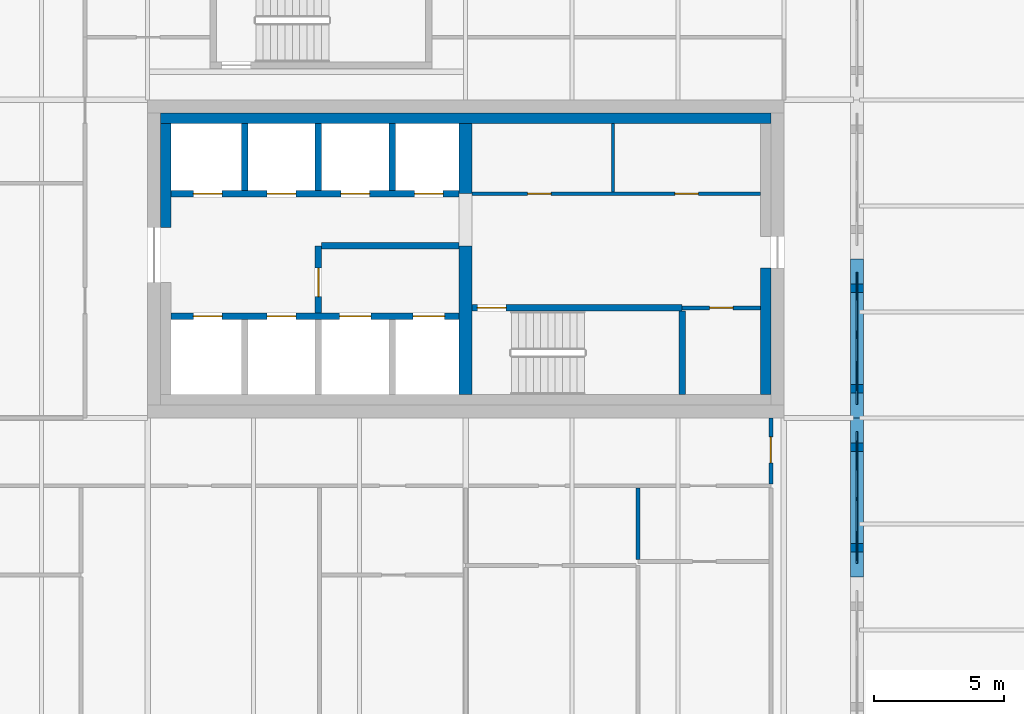
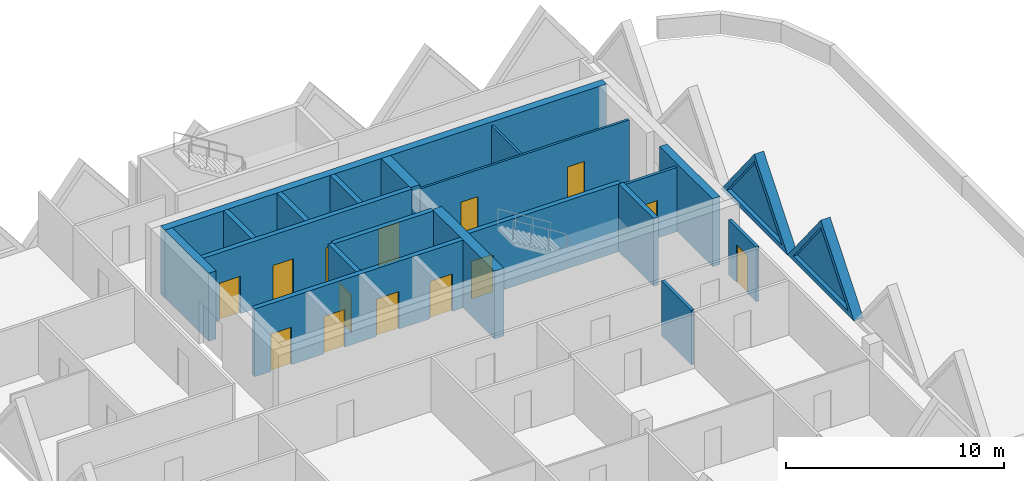
# One storey, part 14 of 18: 21 walls, 14 doors, 2 plates, 16 openings.
"""IFC4 building model written with IfcOpenShell, lengths in metres."""

from ifc_helpers import new_model, si_unit, direction, frame, frame_2d, origin, place, context, subcontext, project, spatial, polyline, rectangle, outline, extrude, faceted_brep, source, transform, mapped, material, layer, layer_set, type_object, element, fill, save


model = new_model("IFC4")

# Units and contexts
model_context = context("Model", 3, precision=1e-05, world=origin(), true_north=direction((0.0, 1.0)))
body_context = subcontext(model_context, "Body", "Model", "MODEL_VIEW")
ifc_project = project(units=[si_unit("LENGTHUNIT", "METRE"), si_unit("AREAUNIT", "SQUARE_METRE"), si_unit("VOLUMEUNIT", "CUBIC_METRE"), si_unit("PLANEANGLEUNIT", "RADIAN"), si_unit("MASSUNIT", "GRAM", prefix="KILO")], contexts=[model_context])

# Site, building, storey
site_placement = place(None, origin())
site = spatial("IfcSite", under=ifc_project, at=site_placement, CompositionType="ELEMENT")
building_placement = place(site_placement, origin())
building = spatial("IfcBuilding", under=site, at=building_placement, Name="Tessera Gate Towers", CompositionType="ELEMENT")
storey_placement = place(building_placement, frame((0.0, 0.0, 95.199951171875)))
storey = spatial("IfcBuildingStorey", under=building, at=storey_placement, Name="L23", CompositionType="ELEMENT", Elevation=95.199951171875)

# Wall, openings, doors
ifc_material_1 = material(Name="Concrete C40/50", Category="concrete")
ifc_layer_1 = layer(ifc_material_1, 0.25)
ifc_layer_set_1 = layer_set([ifc_layer_1], Name="CORE ENCLOSURE WALL 250")
wall_type_1 = type_object("IfcWallType", Name="CORE ENCLOSURE WALL 250", PredefinedType="SOLIDWALL", material=ifc_layer_set_1)
wall_1_placement = place(storey_placement, frame((98.5, 40.5, 0.0), z_axis=(0.0, 0.0, 1.0), x_axis=(1.0, 0.0, 0.0)))
wall_1 = element("IfcWall", 1, at=wall_1_placement, inside=storey, type_object=wall_type_1, Name="L23 shaft and stair enclosure wall", PredefinedType="SOLIDWALL", context=body_context, shape_type="SweptSolid", body=[
    extrude(rectangle(XDim=11.050048828125, YDim=0.25, at=frame_2d((5.52490234375, 0.0))), origin(), (0.0, 0.0, 1.0), 3.800048828125),
])
shared_shape_1 = source(origin(), body_context, "Body", "SweptSolid", [
    extrude(rectangle(XDim=1.10009765625, YDim=2.10009765625, at=frame_2d((0.550048828125, 1.050048828125))), frame((0.0, 0.135009765625, 0.0), z_axis=(0.0, -1.0, 0.0), x_axis=(1.0, 0.0, 0.0)), (0.0, 0.0, 1.0), 0.27001953125),
])
opening_1_placement = place(wall_1_placement, frame((0.862548828125, 0.0, 0.0)))
opening_1 = element("IfcOpeningElement", 2, at=opening_1_placement, cuts=wall_1, Name="Opening LD-TL1", PredefinedType="OPENING", context=body_context, shape_type="MappedRepresentation", body=[
    mapped(shared_shape_1, transform((0.0, 0.0, 0.0), scale=1.0)),
])
opening_2_placement = place(wall_1_placement, frame((3.6875, 0.0, 0.0)))
opening_2 = element("IfcOpeningElement", 3, at=opening_2_placement, cuts=wall_1, Name="Opening LD-TL2", PredefinedType="OPENING", context=body_context, shape_type="MappedRepresentation", body=[
    mapped(shared_shape_1, transform((0.0, 0.0, 0.0), scale=1.0)),
])
shared_shape_2 = source(origin(), body_context, "Body", "SweptSolid", [
    extrude(rectangle(XDim=1.199951171875, YDim=2.10009765625, at=frame_2d((0.60009765625, 1.050048828125))), frame((0.0, 0.135009765625, 0.0), z_axis=(0.0, -1.0, 0.0), x_axis=(1.0, 0.0, 0.0)), (0.0, 0.0, 1.0), 0.27001953125),
])
opening_3_placement = place(wall_1_placement, frame((6.46240234375, 0.0, 0.0)))
opening_3 = element("IfcOpeningElement", 4, at=opening_3_placement, cuts=wall_1, Name="Opening LD-FF3", PredefinedType="OPENING", context=body_context, shape_type="MappedRepresentation", body=[
    mapped(shared_shape_2, transform((0.0, 0.0, 0.0), scale=1.0)),
])
opening_4_placement = place(wall_1_placement, frame((9.28759765625, 0.0, 0.0)))
opening_4 = element("IfcOpeningElement", 5, at=opening_4_placement, cuts=wall_1, Name="Opening LD-FF4", PredefinedType="OPENING", context=body_context, shape_type="MappedRepresentation", body=[
    mapped(shared_shape_2, transform((0.0, 0.0, 0.0), scale=1.0)),
])
ifc_material_2 = material(Name="Stainless steel", Category="steel")
door_type_1 = type_object("IfcDoorType", Name="CORE DOOR LD1200 1200x2100", OperationType="DOUBLE_DOOR_SLIDING", PredefinedType="DOOR", material=ifc_material_2)
shared_shape_3 = source(origin(), body_context, "Body", "SweptSolid", [
    extrude(rectangle(XDim=1.199951171875, YDim=2.10009765625, at=frame_2d((0.60009765625, 1.050048828125))), frame((0.0, 0.02490234375, 0.0), z_axis=(0.0, -1.0, 0.0), x_axis=(1.0, 0.0, 0.0)), (0.0, 0.0, 1.0), 0.050048828125),
])
door_1_placement = place(opening_3_placement, origin())
door_1 = element("IfcDoor", 6, at=door_1_placement, inside=storey, type_object=door_type_1, Name="Landing door FF3 L23", OperationType="DOUBLE_DOOR_SLIDING", OverallHeight=2.10009765625, OverallWidth=1.199951171875, PredefinedType="DOOR", context=body_context, shape_type="MappedRepresentation", body=[
    mapped(shared_shape_3, transform((0.0, 0.0, 0.0), scale=1.0)),
])
fill(opening_3, door_1)
door_2_placement = place(opening_4_placement, origin())
door_2 = element("IfcDoor", 7, at=door_2_placement, inside=storey, type_object=door_type_1, Name="Landing door FF4 L23", OperationType="DOUBLE_DOOR_SLIDING", OverallHeight=2.10009765625, OverallWidth=1.199951171875, PredefinedType="DOOR", context=body_context, shape_type="MappedRepresentation", body=[
    mapped(shared_shape_3, transform((0.0, 0.0, 0.0), scale=1.0)),
])
fill(opening_4, door_2)
ifc_material_3 = material(Name="Stainless steel", Category="steel")
door_type_2 = type_object("IfcDoorType", Name="CORE DOOR LD 1100x2100", OperationType="DOUBLE_DOOR_SLIDING", PredefinedType="DOOR", material=ifc_material_3)
shared_shape_4 = source(origin(), body_context, "Body", "SweptSolid", [
    extrude(rectangle(XDim=1.10009765625, YDim=2.10009765625, at=frame_2d((0.550048828125, 1.050048828125))), frame((0.0, 0.02490234375, 0.0), z_axis=(0.0, -1.0, 0.0), x_axis=(1.0, 0.0, 0.0)), (0.0, 0.0, 1.0), 0.050048828125),
])
door_3_placement = place(opening_1_placement, origin())
door_3 = element("IfcDoor", 8, at=door_3_placement, inside=storey, type_object=door_type_2, Name="Landing door TL1 L23", OperationType="DOUBLE_DOOR_SLIDING", OverallHeight=2.10009765625, OverallWidth=1.10009765625, PredefinedType="DOOR", context=body_context, shape_type="MappedRepresentation", body=[
    mapped(shared_shape_4, transform((0.0, 0.0, 0.0), scale=1.0)),
])
fill(opening_1, door_3)
door_4_placement = place(opening_2_placement, origin())
door_4 = element("IfcDoor", 9, at=door_4_placement, inside=storey, type_object=door_type_2, Name="Landing door TL2 L23", OperationType="DOUBLE_DOOR_SLIDING", OverallHeight=2.10009765625, OverallWidth=1.10009765625, PredefinedType="DOOR", context=body_context, shape_type="MappedRepresentation", body=[
    mapped(shared_shape_4, transform((0.0, 0.0, 0.0), scale=1.0)),
])
fill(opening_2, door_4)

wall_2_placement = place(storey_placement, frame((109.550048828125, 45.199951171875, 0.0), z_axis=(0.0, 0.0, 1.0), x_axis=(-1.0, 0.0, 0.0)))
wall_2 = element("IfcWall", 10, at=wall_2_placement, inside=storey, type_object=wall_type_1, Name="L23 shaft and stair enclosure wall", PredefinedType="SOLIDWALL", context=body_context, shape_type="SweptSolid", body=[
    extrude(rectangle(XDim=11.050048828125, YDim=0.25, at=frame_2d((5.52490234375, 0.0))), origin(), (0.0, 0.0, 1.0), 3.800048828125),
])
opening_5_placement = place(wall_2_placement, frame((9.08740234375, 0.0, 0.0)))
opening_5 = element("IfcOpeningElement", 11, at=opening_5_placement, cuts=wall_2, Name="Opening LD-TL3", PredefinedType="OPENING", context=body_context, shape_type="MappedRepresentation", body=[
    mapped(shared_shape_1, transform((0.0, 0.0, 0.0), scale=1.0)),
])
opening_6_placement = place(wall_2_placement, frame((6.262451171875, 0.0, 0.0)))
opening_6 = element("IfcOpeningElement", 12, at=opening_6_placement, cuts=wall_2, Name="Opening LD-TL4", PredefinedType="OPENING", context=body_context, shape_type="MappedRepresentation", body=[
    mapped(shared_shape_1, transform((0.0, 0.0, 0.0), scale=1.0)),
])
opening_7_placement = place(wall_2_placement, frame((3.4375, 0.0, 0.0)))
opening_7 = element("IfcOpeningElement", 13, at=opening_7_placement, cuts=wall_2, Name="Opening LD-TL5", PredefinedType="OPENING", context=body_context, shape_type="MappedRepresentation", body=[
    mapped(shared_shape_1, transform((0.0, 0.0, 0.0), scale=1.0)),
])
opening_8_placement = place(wall_2_placement, frame((0.612548828125, 0.0, 0.0)))
opening_8 = element("IfcOpeningElement", 14, at=opening_8_placement, cuts=wall_2, Name="Opening LD-TL6", PredefinedType="OPENING", context=body_context, shape_type="MappedRepresentation", body=[
    mapped(shared_shape_1, transform((0.0, 0.0, 0.0), scale=1.0)),
])
door_5_placement = place(opening_5_placement, origin())
door_5 = element("IfcDoor", 15, at=door_5_placement, inside=storey, type_object=door_type_2, Name="Landing door TL3 L23", OperationType="DOUBLE_DOOR_SLIDING", OverallHeight=2.10009765625, OverallWidth=1.10009765625, PredefinedType="DOOR", context=body_context, shape_type="MappedRepresentation", body=[
    mapped(shared_shape_4, transform((0.0, 0.0, 0.0), scale=1.0)),
])
fill(opening_5, door_5)
door_6_placement = place(opening_6_placement, origin())
door_6 = element("IfcDoor", 16, at=door_6_placement, inside=storey, type_object=door_type_2, Name="Landing door TL4 L23", OperationType="DOUBLE_DOOR_SLIDING", OverallHeight=2.10009765625, OverallWidth=1.10009765625, PredefinedType="DOOR", context=body_context, shape_type="MappedRepresentation", body=[
    mapped(shared_shape_4, transform((0.0, 0.0, 0.0), scale=1.0)),
])
fill(opening_6, door_6)
door_7_placement = place(opening_7_placement, origin())
door_7 = element("IfcDoor", 17, at=door_7_placement, inside=storey, type_object=door_type_2, Name="Landing door TL5 L23", OperationType="DOUBLE_DOOR_SLIDING", OverallHeight=2.10009765625, OverallWidth=1.10009765625, PredefinedType="DOOR", context=body_context, shape_type="MappedRepresentation", body=[
    mapped(shared_shape_4, transform((0.0, 0.0, 0.0), scale=1.0)),
])
fill(opening_7, door_7)
door_8_placement = place(opening_8_placement, origin())
door_8 = element("IfcDoor", 18, at=door_8_placement, inside=storey, type_object=door_type_2, Name="Landing door TL6 L23", OperationType="DOUBLE_DOOR_SLIDING", OverallHeight=2.10009765625, OverallWidth=1.10009765625, PredefinedType="DOOR", context=body_context, shape_type="MappedRepresentation", body=[
    mapped(shared_shape_4, transform((0.0, 0.0, 0.0), scale=1.0)),
])
fill(opening_8, door_8)

# Wall, opening, door
wall_3_placement = place(storey_placement, frame((118.10009765625, 40.824951171875, 0.0), z_axis=(0.0, 0.0, 1.0), x_axis=(-1.0, 0.0, 0.0)))
wall_3 = element("IfcWall", 19, at=wall_3_placement, inside=storey, type_object=wall_type_1, Name="L23 shaft and stair enclosure wall", PredefinedType="SOLIDWALL", context=body_context, shape_type="SweptSolid", body=[
    extrude(rectangle(XDim=8.050048828125, YDim=0.25, at=frame_2d((4.02490234375, 0.0))), origin(), (0.0, 0.0, 1.0), 3.800048828125),
])
opening_9_placement = place(wall_3_placement, frame((6.75, 0.0, 0.0)))
opening_9 = element("IfcOpeningElement", 20, at=opening_9_placement, cuts=wall_3, Name="Opening SD-ST6-1", PredefinedType="OPENING", context=body_context, shape_type="MappedRepresentation", body=[
    mapped(shared_shape_1, transform((0.0, 0.0, 0.0), scale=1.0)),
])
ifc_material_4 = material(Name="Hollow steel fire door", Category="steel")
door_type_3 = type_object("IfcDoorType", Name="CORE DOOR SD1100 1100x2100", OperationType="NOTDEFINED", PredefinedType="DOOR", material=ifc_material_4)
door_9_placement = place(opening_9_placement, origin())
door_9 = element("IfcDoor", 21, at=door_9_placement, inside=storey, type_object=door_type_3, Name="Stair door", OperationType="SINGLE_SWING_RIGHT", OverallHeight=2.10009765625, OverallWidth=1.10009765625, PredefinedType="DOOR", context=body_context, shape_type="MappedRepresentation", body=[
    mapped(shared_shape_4, transform((0.0, 0.0, 0.0), scale=1.0)),
])
fill(opening_9, door_9)

wall_4_placement = place(storey_placement, frame((104.14990234375, 43.199951171875, 0.0), z_axis=(0.0, 0.0, 1.0), x_axis=(0.0, -1.0, 0.0)))
wall_4 = element("IfcWall", 22, at=wall_4_placement, inside=storey, type_object=wall_type_1, Name="L23 shaft and stair enclosure wall", PredefinedType="SOLIDWALL", context=body_context, shape_type="SweptSolid", body=[
    extrude(rectangle(XDim=2.574951171875, YDim=0.25, at=frame_2d((1.28759765625, 0.0))), origin(), (0.0, 0.0, 1.0), 3.800048828125),
])
opening_10_placement = place(wall_4_placement, frame((0.85009765625, 0.0, 0.0)))
opening_10 = element("IfcOpeningElement", 23, at=opening_10_placement, cuts=wall_4, Name="Opening FD-T2-09-03", PredefinedType="OPENING", context=body_context, shape_type="MappedRepresentation", body=[
    mapped(shared_shape_1, transform((0.0, 0.0, 0.0), scale=1.0)),
])
ifc_material_5 = material(Name="Hollow steel fire door", Category="steel")
door_type_4 = type_object("IfcDoorType", Name="CORE DOOR FD 1100x2100", OperationType="NOTDEFINED", PredefinedType="DOOR", material=ifc_material_5)
door_10_placement = place(opening_10_placement, origin())
door_10 = element("IfcDoor", 24, at=door_10_placement, inside=storey, type_object=door_type_4, Name="Fire-fighting lobby door", OperationType="SINGLE_SWING_RIGHT", OverallHeight=2.10009765625, OverallWidth=1.10009765625, PredefinedType="DOOR", context=body_context, shape_type="MappedRepresentation", body=[
    mapped(shared_shape_4, transform((0.0, 0.0, 0.0), scale=1.0)),
])
fill(opening_10, door_10)

# Walls
wall_5_placement = place(storey_placement, frame((104.27490234375, 43.199951171875, 0.0), z_axis=(0.0, 0.0, 1.0), x_axis=(1.0, 0.0, 0.0)))
element("IfcWall", 25, at=wall_5_placement, inside=storey, type_object=wall_type_1, Name="L23 shaft and stair enclosure wall", PredefinedType="SOLIDWALL", context=body_context, shape_type="SweptSolid", body=[
    extrude(rectangle(XDim=5.275146484375, YDim=0.25, at=frame_2d((2.6376953125, 0.0))), origin(), (0.0, 0.0, 1.0), 3.800048828125),
])
wall_6_placement = place(storey_placement, frame((118.10009765625, 37.5, 0.0), z_axis=(0.0, 0.0, 1.0), x_axis=(0.0, 1.0, 0.0)))
element("IfcWall", 26, at=wall_6_placement, inside=storey, type_object=wall_type_1, Name="L23 shaft and stair enclosure wall", PredefinedType="SOLIDWALL", context=body_context, shape_type="SweptSolid", body=[
    extrude(rectangle(XDim=3.199951171875, YDim=0.25, at=frame_2d((1.60009765625, 0.0))), origin(), (0.0, 0.0, 1.0), 3.800048828125),
])
for number, where, z_axis, x_axis, name in (
    (27, (101.324951171875, 45.324951171875, 0.0), (0.0, 0.0, 1.0), (0.0, 1.0, 0.0), "L23 shaft and stair enclosure wall"),
    (28, (104.14990234375, 45.324951171875, 0.0), (0.0, 0.0, 1.0), (0.0, 1.0, 0.0), "L23 shaft and stair enclosure wall"),
    (29, (106.97509765625, 45.324951171875, 0.0), (0.0, 0.0, 1.0), (0.0, 1.0, 0.0), "L23 shaft and stair enclosure wall"),
):
    element("IfcWall", number, at=place(storey_placement, frame(where, z_axis=z_axis, x_axis=x_axis)), inside=storey, type_object=wall_type_1, Name=name, PredefinedType="SOLIDWALL", context=body_context, shape_type="SweptSolid", body=[
        extrude(rectangle(XDim=2.574951171875, YDim=0.25, at=frame_2d((1.28759765625, 0.0))), origin(), (0.0, 0.0, 1.0), 3.800048828125),
    ])

# Wall, openings, doors
ifc_material_6 = material(Name="Gypsum board on steel studs", Category="steel")
ifc_layer_2 = layer(ifc_material_6, 0.1201171875)
ifc_layer_set_2 = layer_set([ifc_layer_2], Name="CORE PARTITION 120")
wall_type_2 = type_object("IfcWallType", Name="CORE PARTITION 120", PredefinedType="PARTITIONING", material=ifc_layer_set_2)
wall_7_placement = place(storey_placement, frame((110.050048828125, 45.199951171875, 0.0), z_axis=(0.0, 0.0, 1.0), x_axis=(1.0, 0.0, 0.0)))
wall_7 = element("IfcWall", 30, at=wall_7_placement, inside=storey, type_object=wall_type_2, Name="L23 core partition", PredefinedType="PARTITIONING", context=body_context, shape_type="SweptSolid", body=[
    extrude(rectangle(XDim=11.050048828125, YDim=0.1201171875, at=frame_2d((5.52490234375, 0.0))), origin(), (0.0, 0.0, 1.0), 3.60009765625),
])
shared_shape_5 = source(origin(), body_context, "Body", "SweptSolid", [
    extrude(rectangle(XDim=0.89990234375, YDim=2.10009765625, at=frame_2d((0.449951171875, 1.050048828125))), frame((0.0, 0.070068359375, 0.0), z_axis=(0.0, -1.0, 0.0), x_axis=(1.0, 0.0, 0.0)), (0.0, 0.0, 1.0), 0.14013671875),
])
opening_11_placement = place(wall_7_placement, frame((2.125, 0.0, 0.0)))
opening_11 = element("IfcOpeningElement", 31, at=opening_11_placement, cuts=wall_7, Name="Opening RD-T2-09-04", PredefinedType="OPENING", context=body_context, shape_type="MappedRepresentation", body=[
    mapped(shared_shape_5, transform((0.0, 0.0, 0.0), scale=1.0)),
])
opening_12_placement = place(wall_7_placement, frame((7.77490234375, 0.0, 0.0)))
opening_12 = element("IfcOpeningElement", 32, at=opening_12_placement, cuts=wall_7, Name="Opening RD-T2-09-05", PredefinedType="OPENING", context=body_context, shape_type="MappedRepresentation", body=[
    mapped(shared_shape_5, transform((0.0, 0.0, 0.0), scale=1.0)),
])
ifc_material_7 = material(Name="Hollow steel fire door", Category="steel")
door_type_5 = type_object("IfcDoorType", Name="CORE DOOR RD 900x2100", OperationType="NOTDEFINED", PredefinedType="DOOR", material=ifc_material_7)
shared_shape_6 = source(origin(), body_context, "Body", "SweptSolid", [
    extrude(rectangle(XDim=0.89990234375, YDim=2.10009765625, at=frame_2d((0.449951171875, 1.050048828125))), frame((0.0, 0.02490234375, 0.0), z_axis=(0.0, -1.0, 0.0), x_axis=(1.0, 0.0, 0.0)), (0.0, 0.0, 1.0), 0.050048828125),
])
door_11_placement = place(opening_11_placement, origin())
door_11 = element("IfcDoor", 33, at=door_11_placement, inside=storey, type_object=door_type_5, Name="Core room door", OperationType="SINGLE_SWING_LEFT", OverallHeight=2.10009765625, OverallWidth=0.89990234375, PredefinedType="DOOR", context=body_context, shape_type="MappedRepresentation", body=[
    mapped(shared_shape_6, transform((0.0, 0.0, 0.0), scale=1.0)),
])
fill(opening_11, door_11)
door_12_placement = place(opening_12_placement, origin())
door_12 = element("IfcDoor", 34, at=door_12_placement, inside=storey, type_object=door_type_5, Name="Core room door", OperationType="SINGLE_SWING_RIGHT", OverallHeight=2.10009765625, OverallWidth=0.89990234375, PredefinedType="DOOR", context=body_context, shape_type="MappedRepresentation", body=[
    mapped(shared_shape_6, transform((0.0, 0.0, 0.0), scale=1.0)),
])
fill(opening_12, door_12)

# Walls
wall_8_placement = place(storey_placement, frame((115.449951171875, 45.260009765625, 0.0), z_axis=(0.0, 0.0, 1.0), x_axis=(0.0, 1.0, 0.0)))
element("IfcWall", 35, at=wall_8_placement, inside=storey, type_object=wall_type_2, Name="L23 core partition", PredefinedType="PARTITIONING", context=body_context, shape_type="SweptSolid", body=[
    extrude(rectangle(XDim=2.639892578125, YDim=0.1201171875, at=frame_2d((1.31982421875, 0.0))), origin(), (0.0, 0.0, 1.0), 3.60009765625),
])
ifc_material_8 = material(Name="Concrete C50/60", Category="concrete")
ifc_layer_3 = layer(ifc_material_8, 0.5)
ifc_layer_set_3 = layer_set([ifc_layer_3], Name="CORE SPINE WALL 500 C50/60")
wall_type_3 = type_object("IfcWallType", Name="CORE SPINE WALL 500 C50/60", PredefinedType="SHEAR", material=ifc_layer_set_3)
wall_9_placement = place(storey_placement, frame((109.800048828125, 37.5, 0.0), z_axis=(0.0, 0.0, 1.0), x_axis=(0.0, 1.0, 0.0)))
element("IfcWall", 36, at=wall_9_placement, inside=storey, type_object=wall_type_3, Name="Core wall spine L23", PredefinedType="SHEAR", context=body_context, shape_type="SweptSolid", body=[
    extrude(rectangle(XDim=5.699951171875, YDim=0.5, at=frame_2d((2.85009765625, 0.0))), origin(), (0.0, 0.0, 1.0), 3.800048828125),
])
wall_10_placement = place(storey_placement, frame((109.800048828125, 45.199951171875, 0.0), z_axis=(0.0, 0.0, 1.0), x_axis=(0.0, 1.0, 0.0)))
element("IfcWall", 37, at=wall_10_placement, inside=storey, type_object=wall_type_3, Name="Core wall spine L23", PredefinedType="SHEAR", context=body_context, shape_type="SweptSolid", body=[
    extrude(rectangle(XDim=2.699951171875, YDim=0.5, at=frame_2d((1.35009765625, 0.0))), origin(), (0.0, 0.0, 1.0), 3.800048828125),
])
ifc_material_9 = material(Name="Concrete C50/60", Category="concrete")
ifc_layer_4 = layer(ifc_material_9, 0.39990234375)
ifc_layer_set_4 = layer_set([ifc_layer_4], Name="CORE WALL THICKENING 400")
wall_type_4 = type_object("IfcWallType", Name="CORE WALL THICKENING 400", PredefinedType="SOLIDWALL", material=ifc_layer_set_4)
wall_11_placement = place(storey_placement, frame((98.10009765625, 48.10009765625, 0.0), z_axis=(0.0, 0.0, 1.0), x_axis=(1.0, 0.0, 0.0)))
element("IfcWall", 38, at=wall_11_placement, inside=storey, type_object=wall_type_4, Name="Core wall thickening N L23", PredefinedType="SOLIDWALL", context=body_context, shape_type="SweptSolid", body=[
    extrude(rectangle(XDim=23.39990234375, YDim=0.39990234375, at=frame_2d((11.699951171875, 0.0))), origin(), (0.0, 0.0, 1.0), 3.800048828125),
])
wall_12_placement = place(storey_placement, frame((98.300048828125, 43.89990234375, 0.0), z_axis=(0.0, 0.0, 1.0), x_axis=(0.0, 1.0, 0.0)))
element("IfcWall", 39, at=wall_12_placement, inside=storey, type_object=wall_type_4, Name="Core wall thickening W L23", PredefinedType="SOLIDWALL", context=body_context, shape_type="SweptSolid", body=[
    extrude(rectangle(XDim=4.0, YDim=0.39990234375, at=frame_2d((2.0, 0.0))), origin(), (0.0, 0.0, 1.0), 3.800048828125),
])
wall_13_placement = place(storey_placement, frame((121.300048828125, 37.5, 0.0), z_axis=(0.0, 0.0, 1.0), x_axis=(0.0, 1.0, 0.0)))
element("IfcWall", 40, at=wall_13_placement, inside=storey, type_object=wall_type_4, Name="Core wall thickening E L23", PredefinedType="SOLIDWALL", context=body_context, shape_type="SweptSolid", body=[
    extrude(rectangle(XDim=4.85009765625, YDim=0.39990234375, at=frame_2d((2.425048828125, 0.0))), origin(), (0.0, 0.0, 1.0), 3.800048828125),
])

# Wall, opening, door
ifc_material_10 = material(Name="Gypsum board on steel studs, mineral wool", Category="steel")
ifc_layer_5 = layer(ifc_material_10, 0.14990234375)
ifc_layer_set_5 = layer_set([ifc_layer_5], Name="CORRIDOR WALL 150")
wall_type_5 = type_object("IfcWallType", Name="CORRIDOR WALL 150", PredefinedType="PARTITIONING", material=ifc_layer_set_5)
wall_14_placement = place(storey_placement, frame((121.5, 36.60009765625, 0.0), z_axis=(0.0, 0.0, 1.0), x_axis=(0.0, -1.0, 0.0)))
wall_14 = element("IfcWall", 41, at=wall_14_placement, inside=storey, type_object=wall_type_5, Name="T2-L23-PW-025", PredefinedType="PARTITIONING", context=body_context, shape_type="SweptSolid", body=[
    extrude(rectangle(XDim=2.524169921875, YDim=0.14990234375, at=frame_2d((1.26220703125, 0.0))), origin(), (0.0, 0.0, 1.0), 3.067138671875),
])
shared_shape_7 = source(origin(), body_context, "Body", "SweptSolid", [
    extrude(rectangle(XDim=1.0, YDim=2.10009765625, at=frame_2d((0.5, 1.050048828125))), frame((0.0, 0.0849609375, 0.0), z_axis=(0.0, -1.0, 0.0), x_axis=(1.0, 0.0, 0.0)), (0.0, 0.0, 1.0), 0.169921875),
])
opening_13_placement = place(wall_14_placement, frame((0.72412109375, 0.0, 0.0)))
opening_13 = element("IfcOpeningElement", 42, at=opening_13_placement, cuts=wall_14, Name="Opening D2100FD60-B10-07", PredefinedType="OPENING", context=body_context, shape_type="MappedRepresentation", body=[
    mapped(shared_shape_7, transform((0.0, 0.0, 0.0), scale=1.0)),
])
ifc_material_11 = material(Name="Timber door leaf in steel frame", Category="steel")
door_type_6 = type_object("IfcDoorType", Name="TENANCY ENTRANCE DOOR 1000 FD60", OperationType="NOTDEFINED", PredefinedType="DOOR", material=ifc_material_11)
shared_shape_8 = source(origin(), body_context, "Body", "SweptSolid", [
    extrude(rectangle(XDim=1.0, YDim=2.10009765625, at=frame_2d((0.5, 1.050048828125))), frame((0.0, 0.02490234375, 0.0), z_axis=(0.0, -1.0, 0.0), x_axis=(1.0, 0.0, 0.0)), (0.0, 0.0, 1.0), 0.050048828125),
])
door_13_placement = place(opening_13_placement, origin())
door_13 = element("IfcDoor", 43, at=door_13_placement, inside=storey, type_object=door_type_6, Name="T2-L23-PD-022", OperationType="SINGLE_SWING_RIGHT", OverallHeight=2.10009765625, OverallWidth=1.0, PredefinedType="DOOR", context=body_context, shape_type="MappedRepresentation", body=[
    mapped(shared_shape_8, transform((0.0, 0.0, 0.0), scale=1.0)),
])
fill(opening_13, door_13)

ifc_material_12 = material(Name="Gypsum board on steel studs", Category="steel")
ifc_layer_6 = layer(ifc_material_12, 0.14990234375)
ifc_layer_set_6 = layer_set([ifc_layer_6], Name="SERVICE ROOM WALL 150")
wall_type_6 = type_object("IfcWallType", Name="SERVICE ROOM WALL 150", PredefinedType="PARTITIONING", material=ifc_layer_set_6)
wall_15_placement = place(storey_placement, frame((121.10009765625, 40.824951171875, 0.0), z_axis=(0.0, 0.0, 1.0), x_axis=(-1.0, 0.0, 0.0)))
wall_15 = element("IfcWall", 44, at=wall_15_placement, inside=storey, type_object=wall_type_6, Name="L23 service room wall", PredefinedType="PARTITIONING", context=body_context, shape_type="SweptSolid", body=[
    extrude(rectangle(XDim=3.0, YDim=0.14990234375, at=frame_2d((1.5, 0.0))), origin(), (0.0, 0.0, 1.0), 3.60009765625),
])
shared_shape_9 = source(origin(), body_context, "Body", "SweptSolid", [
    extrude(rectangle(XDim=0.89990234375, YDim=2.10009765625, at=frame_2d((0.449951171875, 1.050048828125))), frame((0.0, 0.0849609375, 0.0), z_axis=(0.0, -1.0, 0.0), x_axis=(1.0, 0.0, 0.0)), (0.0, 0.0, 1.0), 0.169921875),
])
opening_14_placement = place(wall_15_placement, frame((1.050048828125, 0.0, 0.0)))
opening_14 = element("IfcOpeningElement", 45, at=opening_14_placement, cuts=wall_15, Name="Opening RD-T2-09-06", PredefinedType="OPENING", context=body_context, shape_type="MappedRepresentation", body=[
    mapped(shared_shape_9, transform((0.0, 0.0, 0.0), scale=1.0)),
])
door_14_placement = place(opening_14_placement, origin())
door_14 = element("IfcDoor", 46, at=door_14_placement, inside=storey, type_object=door_type_5, Name="Core room door", OperationType="SINGLE_SWING_RIGHT", OverallHeight=2.10009765625, OverallWidth=0.89990234375, PredefinedType="DOOR", context=body_context, shape_type="MappedRepresentation", body=[
    mapped(shared_shape_6, transform((0.0, 0.0, 0.0), scale=1.0)),
])
fill(opening_14, door_14)

# Wall
ifc_material_13 = material(Name="Gypsum board on steel studs, mineral wool", Category="steel")
ifc_layer_7 = layer(ifc_material_13, 0.14990234375)
ifc_layer_set_7 = layer_set([ifc_layer_7], Name="TENANCY WALL 150")
wall_type_7 = type_object("IfcWallType", Name="TENANCY WALL 150", PredefinedType="PARTITIONING", material=ifc_layer_set_7)
wall_16_placement = place(storey_placement, frame((116.39990234375, 31.176025390625, 0.0), z_axis=(0.0, 0.0, 1.0), x_axis=(0.0, 1.0, 0.0)))
element("IfcWall", 47, at=wall_16_placement, inside=storey, type_object=wall_type_7, Name="T2-L23-PW-023", PredefinedType="PARTITIONING", context=body_context, shape_type="SweptSolid", body=[
    extrude(rectangle(XDim=2.748046875, YDim=0.14990234375, at=frame_2d((1.3740234375, 0.0))), origin(), (0.0, 0.0, 1.0), 3.067138671875),
])

# Wall, opening, plate
ifc_material_14 = material(Name="Precast concrete C60/75 white", Category="concrete")
ifc_layer_8 = layer(ifc_material_14, 0.5)
ifc_layer_set_8 = layer_set([ifc_layer_8], Name="TS2 half tessera")
wall_type_8 = type_object("IfcWallType", Name="TS2 half tessera", PredefinedType="SOLIDWALL", material=ifc_layer_set_8)
shared_shape_10 = source(origin(), body_context, "Body", "Brep", [
    faceted_brep([(6.099853515625, -0.25, 0.000244140625), (3.050048828125, -0.25, 3.800048828125), (0.0, -0.25, 0.0), (6.099853515625, -0.25, 0.0), (0.0, 0.25, 0.0), (3.050048828125, 0.25, 3.800048828125), (6.099853515625, 0.25, 0.000244140625), (6.099853515625, 0.25, 0.0)], [[[0, 1, 2, 3]], [[4, 5, 6, 7]], [[6, 5, 1, 0]], [[5, 4, 2, 1]], [[4, 7, 3, 2]], [[3, 7, 6, 0]]]),
])
wall_17_placement = place(storey_placement, frame((124.800048828125, 36.60009765625, 0.0), z_axis=(0.0, 0.0, 1.0), x_axis=(0.0, 1.0, 0.0)))
wall_17 = element("IfcWall", 48, at=wall_17_placement, inside=storey, type_object=wall_type_8, Name="Precast half tessera T2 TS2-0116", PredefinedType="SOLIDWALL", context=body_context, shape_type="MappedRepresentation", body=[
    mapped(shared_shape_10, transform((0.0, 0.0, 0.0), scale=1.0)),
])
shared_shape_11 = source(origin(), body_context, "Body", "SweptSolid", [
    extrude(outline(polyline([(5.578857421875, 0.25), (3.050048828125, 3.400634765625), (0.521240234375, 0.25), (5.578857421875, 0.25)])), frame((0.0, 0.260009765625, 0.0), z_axis=(0.0, -1.0, 0.0), x_axis=(1.0, 0.0, 0.0)), (0.0, 0.0, 1.0), 0.52001953125),
])
opening_15_placement = place(wall_17_placement, origin())
opening_15 = element("IfcOpeningElement", 49, at=opening_15_placement, cuts=wall_17, Name="Opening T2-PL1-0214", PredefinedType="OPENING", context=body_context, shape_type="MappedRepresentation", body=[
    mapped(shared_shape_11, transform((0.0, 0.0, 0.0), scale=1.0)),
])
ifc_material_15 = material(Name="Low-e laminated glass", Category="glass")
ifc_layer_9 = layer(ifc_material_15, 0.06005859375)
ifc_layer_set_9 = layer_set([ifc_layer_9], Name="PL1 triangular pane")
plate_type = type_object("IfcPlateType", Name="PL1 triangular pane", PredefinedType="SHEET", material=ifc_layer_set_9)
shared_shape_12 = source(origin(), body_context, "Body", "SweptSolid", [
    extrude(outline(polyline([(5.578857421875, 0.25), (3.050048828125, 3.400634765625), (0.521240234375, 0.25), (5.578857421875, 0.25)])), frame((0.0, 0.030029296875, 0.0), z_axis=(0.0, -1.0, 0.0), x_axis=(1.0, 0.0, 0.0)), (0.0, 0.0, 1.0), 0.06005859375),
])
plate_1_placement = place(opening_15_placement, origin())
plate_1 = element("IfcPlate", 50, at=plate_1_placement, inside=storey, type_object=plate_type, Name="Glass pane T2 PL1-0214", PredefinedType="SHEET", context=body_context, shape_type="MappedRepresentation", body=[
    mapped(shared_shape_12, transform((0.0, 0.0, 0.0), scale=1.0)),
])
fill(opening_15, plate_1)

shared_shape_13 = source(origin(), body_context, "Body", "SweptSolid", [
    extrude(outline(polyline([(6.10009765625, 0.0), (3.050048828125, 3.800048828125), (0.0, 0.0), (6.10009765625, 0.0)])), frame((0.0, 0.25, 0.0), z_axis=(0.0, -1.0, 0.0), x_axis=(1.0, 0.0, 0.0)), (0.0, 0.0, 1.0), 0.5),
])
wall_18_placement = place(storey_placement, frame((124.800048828125, 30.5, 0.0), z_axis=(0.0, 0.0, 1.0), x_axis=(0.0, 1.0, 0.0)))
wall_18 = element("IfcWall", 51, at=wall_18_placement, inside=storey, type_object=wall_type_8, Name="Precast half tessera T2 TS2-0115", PredefinedType="SOLIDWALL", context=body_context, shape_type="MappedRepresentation", body=[
    mapped(shared_shape_13, transform((0.0, 0.0, 0.0), scale=1.0)),
])
opening_16_placement = place(wall_18_placement, origin())
opening_16 = element("IfcOpeningElement", 52, at=opening_16_placement, cuts=wall_18, Name="Opening T2-PL1-0213", PredefinedType="OPENING", context=body_context, shape_type="MappedRepresentation", body=[
    mapped(shared_shape_11, transform((0.0, 0.0, 0.0), scale=1.0)),
])
plate_2_placement = place(opening_16_placement, origin())
plate_2 = element("IfcPlate", 53, at=plate_2_placement, inside=storey, type_object=plate_type, Name="Glass pane T2 PL1-0213", PredefinedType="SHEET", context=body_context, shape_type="MappedRepresentation", body=[
    mapped(shared_shape_12, transform((0.0, 0.0, 0.0), scale=1.0)),
])
fill(opening_16, plate_2)

save(model, "model.ifc")
